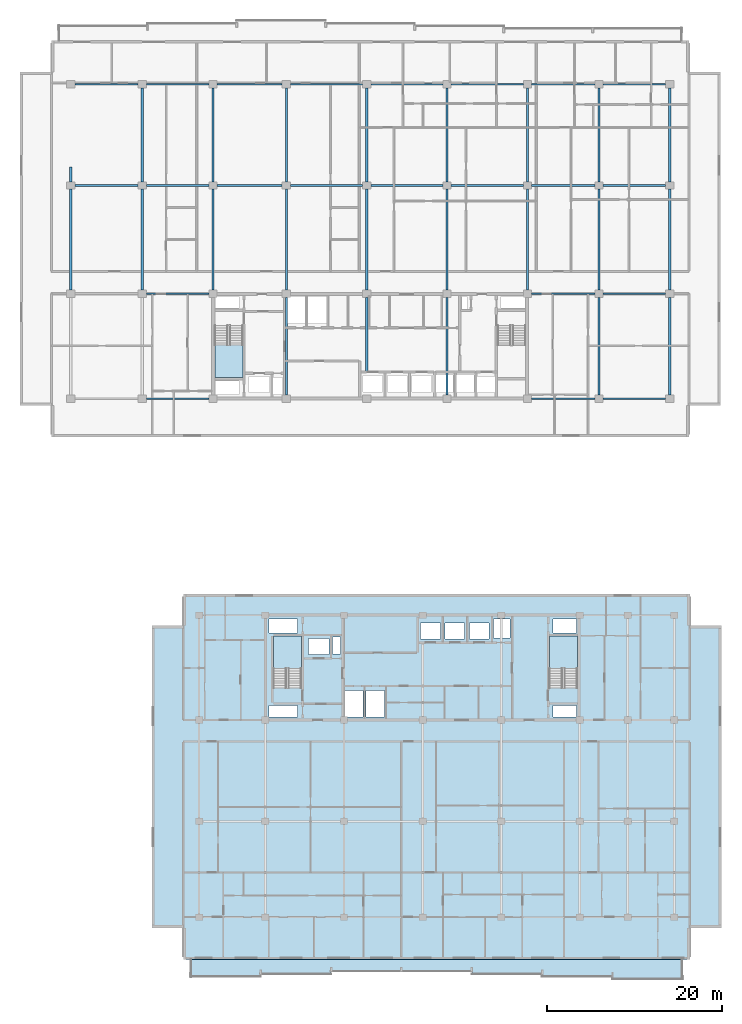
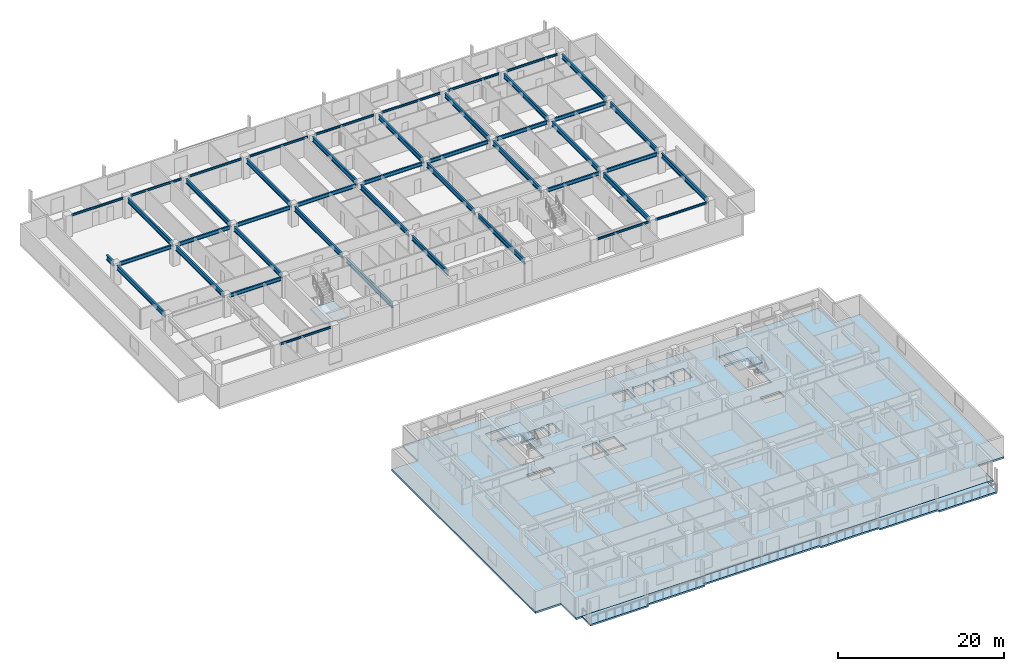
# One storey, part 2 of 22: 45 beams, 5 slabs, 3 elements without a shape of their own.
"""IFC4 building model written with IfcOpenShell, lengths in metres."""

import ifcopenshell
import ifcopenshell.guid

model = None  # the IFC model being written
_history = None  # IfcOwnerHistory: only IFC2X3 demands one
_inside = {}  # id of a spatial element -> (the spatial element, [elements in it])
_under = {}  # id of a project, library or spatial element -> (it, [spatial elements below it])
_declared = {}  # id of a project -> (the project, [libraries it declares])
_typed = {}  # id of a type object -> (the type object, [elements of that type])
_made_of = {}  # id of a material, layer set ... -> (it, [elements and type objects made of it])


def new_model(schema):
    """Start an empty IFC model of exactly this schema.

    Asked for "IFC4X3", IfcOpenShell would pick the latest addendum, in which some entities
    have other attributes; the version numbers below select the first issue.
    IFC2X3 requires an IfcOwnerHistory on every rooted entity: one is made here for all.
    """
    global model, _history
    if schema == "IFC4X3":
        model = ifcopenshell.file(schema_version=(4, 3, 0, 0))
    else:
        model = ifcopenshell.file(schema=schema)
    _inside.clear()
    _under.clear()
    _declared.clear()
    _typed.clear()
    _made_of.clear()
    _history = None
    if model.schema == "IFC2X3":
        org = make("IfcOrganization", Name="unknown")
        user = make(
            "IfcPersonAndOrganization",
            ThePerson=make("IfcPerson", FamilyName="unknown"),
            TheOrganization=org,
        )
        app = make(
            "IfcApplication",
            ApplicationDeveloper=org,
            Version="unknown",
            ApplicationFullName="unknown",
            ApplicationIdentifier="unknown",
        )
        _history = make(
            "IfcOwnerHistory",
            OwningUser=user,
            OwningApplication=app,
            ChangeAction="ADDED",
            CreationDate=0,
        )
    return model


def make(cls, **values):
    """One entity of the class cls with the attributes given. An attribute that is None is left unset."""
    return model.create_entity(
        cls, **{name: value for name, value in values.items() if value is not None}
    )


def rooted(cls, **values):
    """An entity with a GlobalId (a new one), such as an element, a storey or a relation."""
    return make(cls, GlobalId=ifcopenshell.guid.new(), OwnerHistory=_history, **values)


def si_unit(unit_type, name, prefix=None):
    """IfcSIUnit, for example si_unit("LENGTHUNIT", "METRE", prefix="MILLI")."""
    return make("IfcSIUnit", UnitType=unit_type, Prefix=prefix, Name=name)


def assignment(units):
    """IfcUnitAssignment: the units of a project."""
    return None if units is None else make("IfcUnitAssignment", Units=units)


def point(xyz):
    """IfcCartesianPoint."""
    return None if xyz is None else make("IfcCartesianPoint", Coordinates=xyz)


def direction(xyz):
    """IfcDirection."""
    return None if xyz is None else make("IfcDirection", DirectionRatios=xyz)


def frame(location, z_axis=None, x_axis=None):
    """IfcAxis2Placement3D, a coordinate frame: its origin and axes. An axis left out is left unset."""
    return make(
        "IfcAxis2Placement3D",
        Location=point(location),
        Axis=direction(z_axis),
        RefDirection=direction(x_axis),
    )


def frame_2d(location, x_axis=None):
    """IfcAxis2Placement2D, a coordinate frame in the plane: its origin and x axis."""
    return make(
        "IfcAxis2Placement2D", Location=point(location), RefDirection=direction(x_axis)
    )


def origin():
    """The frame at (0, 0, 0) with its axes left unset."""
    return frame((0.0, 0.0, 0.0))


def origin_2d():
    """The frame at (0, 0) in the plane with its x axis left unset."""
    return frame_2d((0.0, 0.0))


def place(relative_to, where):
    """IfcLocalPlacement: puts the frame where relative to a parent placement (None: the world)."""
    return make(
        "IfcLocalPlacement", PlacementRelTo=relative_to, RelativePlacement=where
    )


def context(
    kind, dimensions, precision=None, world=None, true_north=None, identifier=None
):
    """IfcGeometricRepresentationContext, for example the 3D "Model" context."""
    return make(
        "IfcGeometricRepresentationContext",
        ContextIdentifier=identifier,
        ContextType=kind,
        CoordinateSpaceDimension=dimensions,
        Precision=precision,
        WorldCoordinateSystem=world,
        TrueNorth=true_north,
    )


def subcontext(parent, identifier, kind, view, scale=None):
    """IfcGeometricRepresentationSubContext, for example "Body" below "Model"."""
    return make(
        "IfcGeometricRepresentationSubContext",
        ContextIdentifier=identifier,
        ContextType=kind,
        ParentContext=parent,
        TargetScale=scale,
        TargetView=view,
    )


def project(units=None, contexts=None):
    """IfcProject with its units and contexts."""
    return rooted(
        "IfcProject",
        Name="project",
        RepresentationContexts=contexts,
        UnitsInContext=assignment(units),
    )


def spatial(cls, under=None, at=None, **own):
    """A site, building, storey or space (cls), placed at a placement, below another one or the project."""
    s = rooted(cls, ObjectPlacement=at, **own)
    if under is not None:
        _under.setdefault(under.id(), (under, []))[1].append(s)
    return s


def polyline(points):
    """IfcPolyline through the points."""
    return make("IfcPolyline", Points=[point(p) for p in points])


def profile(cls, at=None, kind="AREA", **sizes):
    """A parametric profile (cls). Its sizes go by their IFC names, for example OverallWidth=200.0."""
    return make(cls, ProfileType=kind, Position=at, **sizes)


def i_section(**sizes):
    """IfcIShapeProfileDef."""
    return profile("IfcIShapeProfileDef", **sizes)


def outline(outer, holes=None, kind="AREA"):
    """IfcArbitraryClosedProfileDef: a profile drawn as a closed curve; with holes, ...WithVoids."""
    if holes is None:
        return make("IfcArbitraryClosedProfileDef", ProfileType=kind, OuterCurve=outer)
    return make(
        "IfcArbitraryProfileDefWithVoids",
        ProfileType=kind,
        OuterCurve=outer,
        InnerCurves=holes,
    )


def extrude(swept, where, along, depth):
    """IfcExtrudedAreaSolid: the profile swept, set in the frame where, extruded along a direction by depth."""
    return make(
        "IfcExtrudedAreaSolid",
        SweptArea=swept,
        Position=where,
        ExtrudedDirection=direction(along),
        Depth=depth,
    )


def shape(context_of_items, identifier, shape_type, items):
    """IfcShapeRepresentation: the items that make up one representation, for example the "Body"."""
    return make(
        "IfcShapeRepresentation",
        ContextOfItems=context_of_items,
        RepresentationIdentifier=identifier,
        RepresentationType=shape_type,
        Items=items,
    )


def material(Name=None, Category=None):
    """IfcMaterial."""
    return make("IfcMaterial", Name=Name, Category=Category)


def layer(
    of_material, thickness, ventilated=None, Name=None, Category=None, Priority=None
):
    """IfcMaterialLayer: one layer of a wall or slab, of a material (None: an air gap)."""
    return make(
        "IfcMaterialLayer",
        Material=of_material,
        LayerThickness=thickness,
        IsVentilated=ventilated,
        Name=Name,
        Category=Category,
        Priority=Priority,
    )


def layer_set(layers, Name=None):
    """IfcMaterialLayerSet."""
    return make("IfcMaterialLayerSet", MaterialLayers=layers, LayerSetName=Name)


def material_profile(
    of_material, cross_section, Name=None, Category=None, Priority=None
):
    """IfcMaterialProfile: a cross section and its material."""
    return make(
        "IfcMaterialProfile",
        Name=Name,
        Material=of_material,
        Profile=cross_section,
        Priority=Priority,
        Category=Category,
    )


def profile_set(profiles, Name=None, composite=None):
    """IfcMaterialProfileSet."""
    return make(
        "IfcMaterialProfileSet",
        Name=Name,
        MaterialProfiles=profiles,
        CompositeProfile=composite,
    )


def made_of(thing, what):
    """Note that an element or type object is made of a material, layer set ...; save() writes the relation."""
    if what is not None:
        _made_of.setdefault(what.id(), (what, []))[1].append(thing)
    return thing


def type_object(cls, material=None, **own):
    """A type object (cls), such as IfcWallType, which elements share."""
    return made_of(rooted(cls, **own), material)


def element(
    cls,
    number,
    at=None,
    inside=None,
    cuts=None,
    type_object=None,
    material=None,
    context=None,
    identifier="Body",
    shape_type=None,
    held_by="IfcProductDefinitionShape",
    body=None,
    shapes=None,
    **own,
):
    """One element of the class cls, such as IfcWall. Its Tag is "e" and its number.

    at: its placement. inside: the storey or other place that contains it. cuts: it is an
    opening in that element (IfcRelVoidsElement). A single representation is given by context,
    identifier, shape_type and body (its items); several are given by shapes. held_by: the class
    of the entity that holds the representations. save() writes the other relations.
    """
    e = rooted(cls, Tag="e%d" % number, ObjectPlacement=at, **own)
    if body is not None:
        shapes = [shape(context, identifier, shape_type, body)]
    if shapes is not None:
        e.Representation = make(held_by, Representations=shapes)
    if inside is not None:
        _inside.setdefault(inside.id(), (inside, []))[1].append(e)
    if cuts is not None:
        rooted(
            "IfcRelVoidsElement", RelatingBuildingElement=cuts, RelatedOpeningElement=e
        )
    if type_object is not None:
        _typed.setdefault(type_object.id(), (type_object, []))[1].append(e)
    return made_of(e, material)


def aggregate(whole, parts):
    """IfcRelAggregates: a whole, such as a stair, and the parts it consists of."""
    return rooted("IfcRelAggregates", RelatingObject=whole, RelatedObjects=parts)


def save(model, path):
    """Write the relations noted so far, then the file.

    IfcRelAggregates (storeys below a building ...), IfcRelContainedInSpatialStructure (elements
    in a storey), IfcRelDefinesByType, IfcRelAssociatesMaterial and IfcRelDeclares: one each for
    every whole, place, type object, material and project.
    """
    for whole, parts in _under.values():
        aggregate(whole, parts)
    for where, things in _inside.values():
        rooted(
            "IfcRelContainedInSpatialStructure",
            RelatedElements=things,
            RelatingStructure=where,
        )
    for kind, things in _typed.values():
        rooted("IfcRelDefinesByType", RelatedObjects=things, RelatingType=kind)
    for what, things in _made_of.values():
        rooted("IfcRelAssociatesMaterial", RelatedObjects=things, RelatingMaterial=what)
    for by, libraries in _declared.values():
        rooted("IfcRelDeclares", RelatingContext=by, RelatedDefinitions=libraries)
    model.write(path)


model = new_model("IFC4")

# Units and contexts
model_context = context("Model", 3, precision=1e-05, world=origin(), true_north=direction((0.0, 1.0)))
body_context = subcontext(model_context, "Body", "Model", "MODEL_VIEW")
ifc_project = project(units=[si_unit("LENGTHUNIT", "METRE"), si_unit("AREAUNIT", "SQUARE_METRE"), si_unit("VOLUMEUNIT", "CUBIC_METRE"), si_unit("PLANEANGLEUNIT", "RADIAN"), si_unit("MASSUNIT", "GRAM", prefix="KILO")], contexts=[model_context])

# Site, building, storey
site_placement = place(None, origin())
site = spatial("IfcSite", under=ifc_project, at=site_placement, CompositionType="ELEMENT")
building_placement = place(site_placement, origin())
building = spatial("IfcBuilding", under=site, at=building_placement, Name="Korimba Cascade Residences", CompositionType="ELEMENT")
storey_placement = place(building_placement, frame((0.0, 0.0, 129.550048828125)))
storey = spatial("IfcBuildingStorey", under=building, at=storey_placement, Name="L37", CompositionType="ELEMENT", Elevation=129.550048828125)

# Beams
ifc_material_1 = material(Name="Steel S355", Category="steel")
ifc_material_profile_1 = material_profile(ifc_material_1, i_section(OverallWidth=0.165771484375, OverallDepth=0.306640625, WebThickness=0.006591796875, FlangeThickness=0.01171875, FilletRadius=0.0087890625, at=origin_2d()), Name="Steel S355")
ifc_profile_set_1 = profile_set([ifc_material_profile_1], Name="Steel S355")
beam_type_1 = type_object("IfcBeamType", Name="BM-STL-UB305", PredefinedType="SPANDREL", material=ifc_profile_set_1)
beam_1_placement = place(storey_placement, frame((68.47509765625, 55.199951171875, 2.816650390625), z_axis=(1.0, 0.0, 0.0), x_axis=(0.0, 1.0, 0.0)))
element("IfcBeam", 1, at=beam_1_placement, inside=storey, type_object=beam_type_1, Name="L37 T1 E-W Girder Y1 Bay 2", PredefinedType="SPANDREL", context=body_context, shape_type="SweptSolid", body=[
    extrude(i_section(OverallWidth=0.165771484375, OverallDepth=0.306640625, WebThickness=0.006591796875, FlangeThickness=0.01171875, FilletRadius=0.0087890625, at=origin_2d()), origin(), (0.0, 0.0, 1.0), 7.14990234375),
])
beam_2_placement = place(storey_placement, frame((112.574951171875, 55.199951171875, 2.816650390625), z_axis=(1.0, 0.0, 0.0), x_axis=(0.0, 1.0, 0.0)))
element("IfcBeam", 2, at=beam_2_placement, inside=storey, type_object=beam_type_1, Name="L37 T1 E-W Girder Y1 Bay 7", PredefinedType="SPANDREL", context=body_context, shape_type="SweptSolid", body=[
    extrude(i_section(OverallWidth=0.165771484375, OverallDepth=0.306640625, WebThickness=0.006591796875, FlangeThickness=0.01171875, FilletRadius=0.0087890625, at=origin_2d()), origin(), (0.0, 0.0, 1.0), 7.25),
])
beam_3_placement = place(storey_placement, frame((120.77490234375, 55.199951171875, 2.816650390625), z_axis=(1.0, 0.0, 0.0), x_axis=(0.0, 1.0, 0.0)))
element("IfcBeam", 3, at=beam_3_placement, inside=storey, type_object=beam_type_1, Name="L37 T1 E-W Girder Y1 Bay 8", PredefinedType="SPANDREL", context=body_context, shape_type="SweptSolid", body=[
    extrude(i_section(OverallWidth=0.165771484375, OverallDepth=0.306640625, WebThickness=0.006591796875, FlangeThickness=0.01171875, FilletRadius=0.0087890625, at=origin_2d()), origin(), (0.0, 0.0, 1.0), 7.150146484375),
])
beam_4_placement = place(storey_placement, frame((60.27490234375, 91.199951171875, 2.816650390625), z_axis=(1.0, 0.0, 0.0), x_axis=(0.0, 1.0, 0.0)))
element("IfcBeam", 4, at=beam_4_placement, inside=storey, type_object=beam_type_1, Name="L37 T1 E-W Girder Y4 Bay 1", PredefinedType="SPANDREL", context=body_context, shape_type="SweptSolid", body=[
    extrude(i_section(OverallWidth=0.165771484375, OverallDepth=0.306640625, WebThickness=0.006591796875, FlangeThickness=0.01171875, FilletRadius=0.0087890625, at=origin_2d()), origin(), (0.0, 0.0, 1.0), 7.25),
])
beam_5_placement = place(storey_placement, frame((68.47509765625, 91.199951171875, 2.816650390625), z_axis=(1.0, 0.0, 0.0), x_axis=(0.0, 1.0, 0.0)))
element("IfcBeam", 5, at=beam_5_placement, inside=storey, type_object=beam_type_1, Name="L37 T1 E-W Girder Y4 Bay 2", PredefinedType="SPANDREL", context=body_context, shape_type="SweptSolid", body=[
    extrude(i_section(OverallWidth=0.165771484375, OverallDepth=0.306640625, WebThickness=0.006591796875, FlangeThickness=0.01171875, FilletRadius=0.0087890625, at=origin_2d()), origin(), (0.0, 0.0, 1.0), 7.14990234375),
])
beam_6_placement = place(storey_placement, frame((76.574951171875, 91.199951171875, 2.816650390625), z_axis=(1.0, 0.0, 0.0), x_axis=(0.0, 1.0, 0.0)))
element("IfcBeam", 6, at=beam_6_placement, inside=storey, type_object=beam_type_1, Name="L37 T1 E-W Girder Y4 Bay 3", PredefinedType="SPANDREL", context=body_context, shape_type="SweptSolid", body=[
    extrude(i_section(OverallWidth=0.165771484375, OverallDepth=0.306640625, WebThickness=0.006591796875, FlangeThickness=0.01171875, FilletRadius=0.0087890625, at=origin_2d()), origin(), (0.0, 0.0, 1.0), 7.449951171875),
])
for number, where, z_axis, x_axis, name in (
    (7, (84.97509765625, 91.199951171875, 2.816650390625), (1.0, 0.0, 0.0), (0.0, 1.0, 0.0), "L37 T1 E-W Girder Y4 Bay 4"),
    (8, (94.175048828125, 91.199951171875, 2.816650390625), (1.0, 0.0, 0.0), (0.0, 1.0, 0.0), "L37 T1 E-W Girder Y4 Bay 5"),
    (9, (103.375, 91.199951171875, 2.816650390625), (1.0, 0.0, 0.0), (0.0, 1.0, 0.0), "L37 T1 E-W Girder Y4 Bay 6"),
):
    element("IfcBeam", number, at=place(storey_placement, frame(where, z_axis=z_axis, x_axis=x_axis)), inside=storey, type_object=beam_type_1, Name=name, PredefinedType="SPANDREL", context=body_context, shape_type="SweptSolid", body=[
        extrude(i_section(OverallWidth=0.165771484375, OverallDepth=0.306640625, WebThickness=0.006591796875, FlangeThickness=0.01171875, FilletRadius=0.0087890625, at=origin_2d()), origin(), (0.0, 0.0, 1.0), 8.25),
    ])
beam_7_placement = place(storey_placement, frame((112.574951171875, 91.199951171875, 2.816650390625), z_axis=(1.0, 0.0, 0.0), x_axis=(0.0, 1.0, 0.0)))
element("IfcBeam", 10, at=beam_7_placement, inside=storey, type_object=beam_type_1, Name="L37 T1 E-W Girder Y4 Bay 7", PredefinedType="SPANDREL", context=body_context, shape_type="SweptSolid", body=[
    extrude(i_section(OverallWidth=0.165771484375, OverallDepth=0.306640625, WebThickness=0.006591796875, FlangeThickness=0.01171875, FilletRadius=0.0087890625, at=origin_2d()), origin(), (0.0, 0.0, 1.0), 7.25),
])
beam_8_placement = place(storey_placement, frame((120.77490234375, 91.199951171875, 2.816650390625), z_axis=(1.0, 0.0, 0.0), x_axis=(0.0, 1.0, 0.0)))
element("IfcBeam", 11, at=beam_8_placement, inside=storey, type_object=beam_type_1, Name="L37 T1 E-W Girder Y4 Bay 8", PredefinedType="SPANDREL", context=body_context, shape_type="SweptSolid", body=[
    extrude(i_section(OverallWidth=0.165771484375, OverallDepth=0.306640625, WebThickness=0.006591796875, FlangeThickness=0.01171875, FilletRadius=0.0087890625, at=origin_2d()), origin(), (0.0, 0.0, 1.0), 7.150146484375),
])
ifc_material_profile_2 = material_profile(ifc_material_1, i_section(OverallWidth=0.2099609375, OverallDepth=0.53662109375, WebThickness=0.0107421875, FlangeThickness=0.017333984375, FilletRadius=0.0126953125, at=origin_2d()), Name="Steel S355")
ifc_profile_set_2 = profile_set([ifc_material_profile_2], Name="Steel S355")
beam_type_2 = type_object("IfcBeamType", Name="BM-STL-UB533", PredefinedType="BEAM", material=ifc_profile_set_2)
beam_9_placement = place(storey_placement, frame((68.47509765625, 67.199951171875, 2.70166015625), z_axis=(1.0, 0.0, 0.0), x_axis=(0.0, 1.0, 0.0)))
element("IfcBeam", 12, at=beam_9_placement, inside=storey, type_object=beam_type_2, Name="L37 T1 E-W Girder Y2 Bay 2", PredefinedType="BEAM", context=body_context, shape_type="SweptSolid", body=[
    extrude(i_section(OverallWidth=0.2099609375, OverallDepth=0.53662109375, WebThickness=0.0107421875, FlangeThickness=0.017333984375, FilletRadius=0.0126953125, at=origin_2d()), origin(), (0.0, 0.0, 1.0), 7.14990234375),
])
beam_10_placement = place(storey_placement, frame((112.574951171875, 67.199951171875, 2.70166015625), z_axis=(1.0, 0.0, 0.0), x_axis=(0.0, 1.0, 0.0)))
element("IfcBeam", 13, at=beam_10_placement, inside=storey, type_object=beam_type_2, Name="L37 T1 E-W Girder Y2 Bay 7", PredefinedType="BEAM", context=body_context, shape_type="SweptSolid", body=[
    extrude(i_section(OverallWidth=0.2099609375, OverallDepth=0.53662109375, WebThickness=0.0107421875, FlangeThickness=0.017333984375, FilletRadius=0.0126953125, at=origin_2d()), origin(), (0.0, 0.0, 1.0), 7.25),
])
beam_11_placement = place(storey_placement, frame((120.77490234375, 67.199951171875, 2.70166015625), z_axis=(1.0, 0.0, 0.0), x_axis=(0.0, 1.0, 0.0)))
element("IfcBeam", 14, at=beam_11_placement, inside=storey, type_object=beam_type_2, Name="L37 T1 E-W Girder Y2 Bay 8", PredefinedType="BEAM", context=body_context, shape_type="SweptSolid", body=[
    extrude(i_section(OverallWidth=0.2099609375, OverallDepth=0.53662109375, WebThickness=0.0107421875, FlangeThickness=0.017333984375, FilletRadius=0.0126953125, at=origin_2d()), origin(), (0.0, 0.0, 1.0), 7.150146484375),
])
beam_12_placement = place(storey_placement, frame((60.27490234375, 79.60009765625, 2.70166015625), z_axis=(1.0, 0.0, 0.0), x_axis=(0.0, 1.0, 0.0)))
element("IfcBeam", 15, at=beam_12_placement, inside=storey, type_object=beam_type_2, Name="L37 T1 E-W Girder Y3 Bay 1", PredefinedType="BEAM", context=body_context, shape_type="SweptSolid", body=[
    extrude(i_section(OverallWidth=0.2099609375, OverallDepth=0.53662109375, WebThickness=0.0107421875, FlangeThickness=0.017333984375, FilletRadius=0.0126953125, at=origin_2d()), origin(), (0.0, 0.0, 1.0), 7.25),
])
beam_13_placement = place(storey_placement, frame((68.47509765625, 79.60009765625, 2.70166015625), z_axis=(1.0, 0.0, 0.0), x_axis=(0.0, 1.0, 0.0)))
element("IfcBeam", 16, at=beam_13_placement, inside=storey, type_object=beam_type_2, Name="L37 T1 E-W Girder Y3 Bay 2", PredefinedType="BEAM", context=body_context, shape_type="SweptSolid", body=[
    extrude(i_section(OverallWidth=0.2099609375, OverallDepth=0.53662109375, WebThickness=0.0107421875, FlangeThickness=0.017333984375, FilletRadius=0.0126953125, at=origin_2d()), origin(), (0.0, 0.0, 1.0), 7.14990234375),
])
beam_14_placement = place(storey_placement, frame((76.574951171875, 79.60009765625, 2.70166015625), z_axis=(1.0, 0.0, 0.0), x_axis=(0.0, 1.0, 0.0)))
element("IfcBeam", 17, at=beam_14_placement, inside=storey, type_object=beam_type_2, Name="L37 T1 E-W Girder Y3 Bay 3", PredefinedType="BEAM", context=body_context, shape_type="SweptSolid", body=[
    extrude(i_section(OverallWidth=0.2099609375, OverallDepth=0.53662109375, WebThickness=0.0107421875, FlangeThickness=0.017333984375, FilletRadius=0.0126953125, at=origin_2d()), origin(), (0.0, 0.0, 1.0), 7.449951171875),
])
for number, where, z_axis, x_axis, name in (
    (18, (84.97509765625, 79.60009765625, 2.70166015625), (1.0, 0.0, 0.0), (0.0, 1.0, 0.0), "L37 T1 E-W Girder Y3 Bay 4"),
    (19, (94.175048828125, 79.60009765625, 2.70166015625), (1.0, 0.0, 0.0), (0.0, 1.0, 0.0), "L37 T1 E-W Girder Y3 Bay 5"),
    (20, (103.375, 79.60009765625, 2.70166015625), (1.0, 0.0, 0.0), (0.0, 1.0, 0.0), "L37 T1 E-W Girder Y3 Bay 6"),
):
    element("IfcBeam", number, at=place(storey_placement, frame(where, z_axis=z_axis, x_axis=x_axis)), inside=storey, type_object=beam_type_2, Name=name, PredefinedType="BEAM", context=body_context, shape_type="SweptSolid", body=[
        extrude(i_section(OverallWidth=0.2099609375, OverallDepth=0.53662109375, WebThickness=0.0107421875, FlangeThickness=0.017333984375, FilletRadius=0.0126953125, at=origin_2d()), origin(), (0.0, 0.0, 1.0), 8.25),
    ])
beam_15_placement = place(storey_placement, frame((112.574951171875, 79.60009765625, 2.70166015625), z_axis=(1.0, 0.0, 0.0), x_axis=(0.0, 1.0, 0.0)))
element("IfcBeam", 21, at=beam_15_placement, inside=storey, type_object=beam_type_2, Name="L37 T1 E-W Girder Y3 Bay 7", PredefinedType="BEAM", context=body_context, shape_type="SweptSolid", body=[
    extrude(i_section(OverallWidth=0.2099609375, OverallDepth=0.53662109375, WebThickness=0.0107421875, FlangeThickness=0.017333984375, FilletRadius=0.0126953125, at=origin_2d()), origin(), (0.0, 0.0, 1.0), 7.25),
])
beam_16_placement = place(storey_placement, frame((120.77490234375, 79.60009765625, 2.70166015625), z_axis=(1.0, 0.0, 0.0), x_axis=(0.0, 1.0, 0.0)))
element("IfcBeam", 22, at=beam_16_placement, inside=storey, type_object=beam_type_2, Name="L37 T1 E-W Girder Y3 Bay 8", PredefinedType="BEAM", context=body_context, shape_type="SweptSolid", body=[
    extrude(i_section(OverallWidth=0.2099609375, OverallDepth=0.53662109375, WebThickness=0.0107421875, FlangeThickness=0.017333984375, FilletRadius=0.0126953125, at=origin_2d()), origin(), (0.0, 0.0, 1.0), 7.150146484375),
])
ifc_material_profile_3 = material_profile(ifc_material_1, i_section(OverallWidth=0.255859375, OverallDepth=0.69287109375, WebThickness=0.014404296875, FlangeThickness=0.023681640625, FilletRadius=0.01513671875, at=origin_2d()), Name="Steel S355")
ifc_profile_set_3 = profile_set([ifc_material_profile_3], Name="Steel S355")
beam_type_3 = type_object("IfcBeamType", Name="BM-STL-UB686", PredefinedType="BEAM", material=ifc_profile_set_3)
beam_17_placement = place(storey_placement, frame((59.800048828125, 67.625, 2.62353515625), z_axis=(0.0, 1.0, 0.0), x_axis=(-1.0, 0.0, 0.0)))
element("IfcBeam", 23, at=beam_17_placement, inside=storey, type_object=beam_type_3, Name="L37 T1 N-S Girder X1 Seg 2", PredefinedType="BEAM", context=body_context, shape_type="SweptSolid", body=[
    extrude(i_section(OverallWidth=0.255859375, OverallDepth=0.69287109375, WebThickness=0.014404296875, FlangeThickness=0.023681640625, FilletRadius=0.01513671875, at=origin_2d()), origin(), (0.0, 0.0, 1.0), 11.550048828125),
])
beam_18_placement = place(storey_placement, frame((59.800048828125, 80.02490234375, 2.62353515625), z_axis=(0.0, 1.0, 0.0), x_axis=(-1.0, 0.0, 0.0)))
element("IfcBeam", 24, at=beam_18_placement, inside=storey, type_object=beam_type_3, Name="L37 T1 N-S Girder X1 Seg 3", PredefinedType="BEAM", context=body_context, shape_type="SweptSolid", body=[
    extrude(i_section(OverallWidth=0.255859375, OverallDepth=0.69287109375, WebThickness=0.014404296875, FlangeThickness=0.023681640625, FilletRadius=0.01513671875, at=origin_2d()), origin(), (0.0, 0.0, 1.0), 1.675048828125),
])
beam_19_placement = place(storey_placement, frame((68.0, 67.625, 2.62353515625), z_axis=(0.0, 1.0, 0.0), x_axis=(-1.0, 0.0, 0.0)))
element("IfcBeam", 25, at=beam_19_placement, inside=storey, type_object=beam_type_3, Name="L37 T1 N-S Girder X2 Seg 2", PredefinedType="BEAM", context=body_context, shape_type="SweptSolid", body=[
    extrude(i_section(OverallWidth=0.255859375, OverallDepth=0.69287109375, WebThickness=0.014404296875, FlangeThickness=0.023681640625, FilletRadius=0.01513671875, at=origin_2d()), origin(), (0.0, 0.0, 1.0), 11.550048828125),
])
beam_20_placement = place(storey_placement, frame((68.0, 80.02490234375, 2.62353515625), z_axis=(0.0, 1.0, 0.0), x_axis=(-1.0, 0.0, 0.0)))
element("IfcBeam", 26, at=beam_20_placement, inside=storey, type_object=beam_type_3, Name="L37 T1 N-S Girder X2 Seg 3", PredefinedType="BEAM", context=body_context, shape_type="SweptSolid", body=[
    extrude(i_section(OverallWidth=0.255859375, OverallDepth=0.69287109375, WebThickness=0.014404296875, FlangeThickness=0.023681640625, FilletRadius=0.01513671875, at=origin_2d()), origin(), (0.0, 0.0, 1.0), 10.75),
])
beam_21_placement = place(storey_placement, frame((76.10009765625, 67.625, 2.62353515625), z_axis=(0.0, 1.0, 0.0), x_axis=(-1.0, 0.0, 0.0)))
element("IfcBeam", 27, at=beam_21_placement, inside=storey, type_object=beam_type_3, Name="L37 T1 N-S Girder X3 Seg 2", PredefinedType="BEAM", context=body_context, shape_type="SweptSolid", body=[
    extrude(i_section(OverallWidth=0.255859375, OverallDepth=0.69287109375, WebThickness=0.014404296875, FlangeThickness=0.023681640625, FilletRadius=0.01513671875, at=origin_2d()), origin(), (0.0, 0.0, 1.0), 11.550048828125),
])
beam_22_placement = place(storey_placement, frame((76.10009765625, 80.02490234375, 2.62353515625), z_axis=(0.0, 1.0, 0.0), x_axis=(-1.0, 0.0, 0.0)))
element("IfcBeam", 28, at=beam_22_placement, inside=storey, type_object=beam_type_3, Name="L37 T1 N-S Girder X3 Seg 3", PredefinedType="BEAM", context=body_context, shape_type="SweptSolid", body=[
    extrude(i_section(OverallWidth=0.255859375, OverallDepth=0.69287109375, WebThickness=0.014404296875, FlangeThickness=0.023681640625, FilletRadius=0.01513671875, at=origin_2d()), origin(), (0.0, 0.0, 1.0), 10.75),
])
beam_23_placement = place(storey_placement, frame((84.5, 55.625, 2.62353515625), z_axis=(0.0, 1.0, 0.0), x_axis=(-1.0, 0.0, 0.0)))
element("IfcBeam", 29, at=beam_23_placement, inside=storey, type_object=beam_type_3, Name="L37 T1 N-S Girder X4 Seg 1", PredefinedType="BEAM", context=body_context, shape_type="SweptSolid", body=[
    extrude(i_section(OverallWidth=0.255859375, OverallDepth=0.69287109375, WebThickness=0.014404296875, FlangeThickness=0.023681640625, FilletRadius=0.01513671875, at=origin_2d()), origin(), (0.0, 0.0, 1.0), 11.14990234375),
])
beam_24_placement = place(storey_placement, frame((84.5, 67.625, 2.62353515625), z_axis=(0.0, 1.0, 0.0), x_axis=(-1.0, 0.0, 0.0)))
element("IfcBeam", 30, at=beam_24_placement, inside=storey, type_object=beam_type_3, Name="L37 T1 N-S Girder X4 Seg 2", PredefinedType="BEAM", context=body_context, shape_type="SweptSolid", body=[
    extrude(i_section(OverallWidth=0.255859375, OverallDepth=0.69287109375, WebThickness=0.014404296875, FlangeThickness=0.023681640625, FilletRadius=0.01513671875, at=origin_2d()), origin(), (0.0, 0.0, 1.0), 11.550048828125),
])
beam_25_placement = place(storey_placement, frame((84.5, 80.02490234375, 2.62353515625), z_axis=(0.0, 1.0, 0.0), x_axis=(-1.0, 0.0, 0.0)))
element("IfcBeam", 31, at=beam_25_placement, inside=storey, type_object=beam_type_3, Name="L37 T1 N-S Girder X4 Seg 3", PredefinedType="BEAM", context=body_context, shape_type="SweptSolid", body=[
    extrude(i_section(OverallWidth=0.255859375, OverallDepth=0.69287109375, WebThickness=0.014404296875, FlangeThickness=0.023681640625, FilletRadius=0.01513671875, at=origin_2d()), origin(), (0.0, 0.0, 1.0), 10.75),
])
beam_26_placement = place(storey_placement, frame((93.699951171875, 58.159912109375, 2.62353515625), z_axis=(0.0, 1.0, 0.0), x_axis=(-1.0, 0.0, 0.0)))
element("IfcBeam", 32, at=beam_26_placement, inside=storey, type_object=beam_type_3, Name="L37 T1 N-S Girder X5 Seg 1", PredefinedType="BEAM", context=body_context, shape_type="SweptSolid", body=[
    extrude(i_section(OverallWidth=0.255859375, OverallDepth=0.69287109375, WebThickness=0.014404296875, FlangeThickness=0.023681640625, FilletRadius=0.01513671875, at=origin_2d()), origin(), (0.0, 0.0, 1.0), 8.614990234375),
])
beam_27_placement = place(storey_placement, frame((93.699951171875, 67.625, 2.62353515625), z_axis=(0.0, 1.0, 0.0), x_axis=(-1.0, 0.0, 0.0)))
element("IfcBeam", 33, at=beam_27_placement, inside=storey, type_object=beam_type_3, Name="L37 T1 N-S Girder X5 Seg 2", PredefinedType="BEAM", context=body_context, shape_type="SweptSolid", body=[
    extrude(i_section(OverallWidth=0.255859375, OverallDepth=0.69287109375, WebThickness=0.014404296875, FlangeThickness=0.023681640625, FilletRadius=0.01513671875, at=origin_2d()), origin(), (0.0, 0.0, 1.0), 11.550048828125),
])
beam_28_placement = place(storey_placement, frame((93.699951171875, 80.02490234375, 2.62353515625), z_axis=(0.0, 1.0, 0.0), x_axis=(-1.0, 0.0, 0.0)))
element("IfcBeam", 34, at=beam_28_placement, inside=storey, type_object=beam_type_3, Name="L37 T1 N-S Girder X5 Seg 3", PredefinedType="BEAM", context=body_context, shape_type="SweptSolid", body=[
    extrude(i_section(OverallWidth=0.255859375, OverallDepth=0.69287109375, WebThickness=0.014404296875, FlangeThickness=0.023681640625, FilletRadius=0.01513671875, at=origin_2d()), origin(), (0.0, 0.0, 1.0), 10.75),
])
beam_29_placement = place(storey_placement, frame((102.89990234375, 55.625, 2.62353515625), z_axis=(0.0, 1.0, 0.0), x_axis=(-1.0, 0.0, 0.0)))
element("IfcBeam", 35, at=beam_29_placement, inside=storey, type_object=beam_type_3, Name="L37 T1 N-S Girder X6 Seg 1", PredefinedType="BEAM", context=body_context, shape_type="SweptSolid", body=[
    extrude(i_section(OverallWidth=0.255859375, OverallDepth=0.69287109375, WebThickness=0.014404296875, FlangeThickness=0.023681640625, FilletRadius=0.01513671875, at=origin_2d()), origin(), (0.0, 0.0, 1.0), 11.14990234375),
])
beam_30_placement = place(storey_placement, frame((102.89990234375, 67.625, 2.62353515625), z_axis=(0.0, 1.0, 0.0), x_axis=(-1.0, 0.0, 0.0)))
element("IfcBeam", 36, at=beam_30_placement, inside=storey, type_object=beam_type_3, Name="L37 T1 N-S Girder X6 Seg 2", PredefinedType="BEAM", context=body_context, shape_type="SweptSolid", body=[
    extrude(i_section(OverallWidth=0.255859375, OverallDepth=0.69287109375, WebThickness=0.014404296875, FlangeThickness=0.023681640625, FilletRadius=0.01513671875, at=origin_2d()), origin(), (0.0, 0.0, 1.0), 11.550048828125),
])
beam_31_placement = place(storey_placement, frame((102.89990234375, 80.02490234375, 2.62353515625), z_axis=(0.0, 1.0, 0.0), x_axis=(-1.0, 0.0, 0.0)))
element("IfcBeam", 37, at=beam_31_placement, inside=storey, type_object=beam_type_3, Name="L37 T1 N-S Girder X6 Seg 3", PredefinedType="BEAM", context=body_context, shape_type="SweptSolid", body=[
    extrude(i_section(OverallWidth=0.255859375, OverallDepth=0.69287109375, WebThickness=0.014404296875, FlangeThickness=0.023681640625, FilletRadius=0.01513671875, at=origin_2d()), origin(), (0.0, 0.0, 1.0), 10.75),
])
beam_32_placement = place(storey_placement, frame((112.10009765625, 67.625, 2.62353515625), z_axis=(0.0, 1.0, 0.0), x_axis=(-1.0, 0.0, 0.0)))
element("IfcBeam", 38, at=beam_32_placement, inside=storey, type_object=beam_type_3, Name="L37 T1 N-S Girder X7 Seg 2", PredefinedType="BEAM", context=body_context, shape_type="SweptSolid", body=[
    extrude(i_section(OverallWidth=0.255859375, OverallDepth=0.69287109375, WebThickness=0.014404296875, FlangeThickness=0.023681640625, FilletRadius=0.01513671875, at=origin_2d()), origin(), (0.0, 0.0, 1.0), 11.550048828125),
])
beam_33_placement = place(storey_placement, frame((112.10009765625, 80.02490234375, 2.62353515625), z_axis=(0.0, 1.0, 0.0), x_axis=(-1.0, 0.0, 0.0)))
element("IfcBeam", 39, at=beam_33_placement, inside=storey, type_object=beam_type_3, Name="L37 T1 N-S Girder X7 Seg 3", PredefinedType="BEAM", context=body_context, shape_type="SweptSolid", body=[
    extrude(i_section(OverallWidth=0.255859375, OverallDepth=0.69287109375, WebThickness=0.014404296875, FlangeThickness=0.023681640625, FilletRadius=0.01513671875, at=origin_2d()), origin(), (0.0, 0.0, 1.0), 10.75),
])
beam_34_placement = place(storey_placement, frame((120.300048828125, 55.625, 2.62353515625), z_axis=(0.0, 1.0, 0.0), x_axis=(-1.0, 0.0, 0.0)))
element("IfcBeam", 40, at=beam_34_placement, inside=storey, type_object=beam_type_3, Name="L37 T1 N-S Girder X8 Seg 1", PredefinedType="BEAM", context=body_context, shape_type="SweptSolid", body=[
    extrude(i_section(OverallWidth=0.255859375, OverallDepth=0.69287109375, WebThickness=0.014404296875, FlangeThickness=0.023681640625, FilletRadius=0.01513671875, at=origin_2d()), origin(), (0.0, 0.0, 1.0), 11.14990234375),
])
beam_35_placement = place(storey_placement, frame((120.300048828125, 67.625, 2.62353515625), z_axis=(0.0, 1.0, 0.0), x_axis=(-1.0, 0.0, 0.0)))
element("IfcBeam", 41, at=beam_35_placement, inside=storey, type_object=beam_type_3, Name="L37 T1 N-S Girder X8 Seg 2", PredefinedType="BEAM", context=body_context, shape_type="SweptSolid", body=[
    extrude(i_section(OverallWidth=0.255859375, OverallDepth=0.69287109375, WebThickness=0.014404296875, FlangeThickness=0.023681640625, FilletRadius=0.01513671875, at=origin_2d()), origin(), (0.0, 0.0, 1.0), 11.550048828125),
])
beam_36_placement = place(storey_placement, frame((120.300048828125, 80.02490234375, 2.62353515625), z_axis=(0.0, 1.0, 0.0), x_axis=(-1.0, 0.0, 0.0)))
element("IfcBeam", 42, at=beam_36_placement, inside=storey, type_object=beam_type_3, Name="L37 T1 N-S Girder X8 Seg 3", PredefinedType="BEAM", context=body_context, shape_type="SweptSolid", body=[
    extrude(i_section(OverallWidth=0.255859375, OverallDepth=0.69287109375, WebThickness=0.014404296875, FlangeThickness=0.023681640625, FilletRadius=0.01513671875, at=origin_2d()), origin(), (0.0, 0.0, 1.0), 10.75),
])
beam_37_placement = place(storey_placement, frame((128.39990234375, 55.625, 2.62353515625), z_axis=(0.0, 1.0, 0.0), x_axis=(-1.0, 0.0, 0.0)))
element("IfcBeam", 43, at=beam_37_placement, inside=storey, type_object=beam_type_3, Name="L37 T1 N-S Girder X9 Seg 1", PredefinedType="BEAM", context=body_context, shape_type="SweptSolid", body=[
    extrude(i_section(OverallWidth=0.255859375, OverallDepth=0.69287109375, WebThickness=0.014404296875, FlangeThickness=0.023681640625, FilletRadius=0.01513671875, at=origin_2d()), origin(), (0.0, 0.0, 1.0), 11.14990234375),
])
beam_38_placement = place(storey_placement, frame((128.39990234375, 67.625, 2.62353515625), z_axis=(0.0, 1.0, 0.0), x_axis=(-1.0, 0.0, 0.0)))
element("IfcBeam", 44, at=beam_38_placement, inside=storey, type_object=beam_type_3, Name="L37 T1 N-S Girder X9 Seg 2", PredefinedType="BEAM", context=body_context, shape_type="SweptSolid", body=[
    extrude(i_section(OverallWidth=0.255859375, OverallDepth=0.69287109375, WebThickness=0.014404296875, FlangeThickness=0.023681640625, FilletRadius=0.01513671875, at=origin_2d()), origin(), (0.0, 0.0, 1.0), 11.550048828125),
])
beam_39_placement = place(storey_placement, frame((128.39990234375, 80.02490234375, 2.62353515625), z_axis=(0.0, 1.0, 0.0), x_axis=(-1.0, 0.0, 0.0)))
element("IfcBeam", 45, at=beam_39_placement, inside=storey, type_object=beam_type_3, Name="L37 T1 N-S Girder X9 Seg 3", PredefinedType="BEAM", context=body_context, shape_type="SweptSolid", body=[
    extrude(i_section(OverallWidth=0.255859375, OverallDepth=0.69287109375, WebThickness=0.014404296875, FlangeThickness=0.023681640625, FilletRadius=0.01513671875, at=origin_2d()), origin(), (0.0, 0.0, 1.0), 10.75),
])

# Stair, slab
ifc_material_2 = material(Name="Concrete C50/60", Category="concrete")
stair_type_1 = type_object("IfcStairType", Name="STR-W1-18R-1806", PredefinedType="HALF_TURN_STAIR", material=ifc_material_2)
stair_1_placement = place(storey_placement, origin())
stair_1 = element("IfcStair", 46, at=stair_1_placement, inside=storey, type_object=stair_type_1, Name="L37 Tower 1 West Fire Stair ST-W1", PredefinedType="HALF_TURN_STAIR")
ifc_layer_1 = layer(ifc_material_2, 0.199951171875)
ifc_layer_set_1 = layer_set([ifc_layer_1], Name="Concrete C50/60")
slab_type_1 = type_object("IfcSlabType", Name="SLB-LND-220", PredefinedType="LANDING", material=ifc_layer_set_1)
slab_1_placement = place(storey_placement, frame((0.0, 0.0, 1.425048828125)))
slab_1 = element("IfcSlab", 47, at=slab_1_placement, type_object=slab_type_1, Name="ST-W1 landing 1", PredefinedType="LANDING", context=body_context, shape_type="SweptSolid", body=[
    extrude(outline(polyline([(76.300048828125, 61.31005859375), (76.300048828125, 57.60009765625), (79.5400390625, 57.60009765625), (79.5400390625, 61.31005859375), (76.300048828125, 61.31005859375)])), origin(), (0.0, 0.0, 1.0), 0.199951171875),
])
aggregate(stair_1, [slab_1])

stair_type_2 = type_object("IfcStairType", Name="STR-E1-18R-1806", PredefinedType="HALF_TURN_STAIR", material=ifc_material_2)
stair_2_placement = place(storey_placement, origin())
stair_2 = element("IfcStair", 48, at=stair_2_placement, inside=storey, type_object=stair_type_2, Name="L37 Tower 2 West Fire Stair ST-E1", PredefinedType="HALF_TURN_STAIR")
slab_2_placement = place(storey_placement, frame((0.0, 0.0, 1.425048828125)))
slab_2 = element("IfcSlab", 49, at=slab_2_placement, type_object=slab_type_1, Name="ST-E1 landing 1", PredefinedType="LANDING", context=body_context, shape_type="SweptSolid", body=[
    extrude(outline(polyline([(86.239990234375, 24.2900390625), (86.239990234375, 28.0), (83.0, 28.0), (83.0, 24.2900390625), (86.239990234375, 24.2900390625)])), origin(), (0.0, 0.0, 1.0), 0.199951171875),
])
aggregate(stair_2, [slab_2])

stair_type_3 = type_object("IfcStairType", Name="STR-E2-18R-1806", PredefinedType="HALF_TURN_STAIR", material=ifc_material_2)
stair_3_placement = place(storey_placement, origin())
stair_3 = element("IfcStair", 50, at=stair_3_placement, inside=storey, type_object=stair_type_3, Name="L37 Tower 2 East Fire Stair ST-E2", PredefinedType="HALF_TURN_STAIR")
slab_3_placement = place(storey_placement, frame((0.0, 0.0, 1.425048828125)))
slab_3 = element("IfcSlab", 51, at=slab_3_placement, type_object=slab_type_1, Name="ST-E2 landing 1", PredefinedType="LANDING", context=body_context, shape_type="SweptSolid", body=[
    extrude(outline(polyline([(117.840087890625, 24.2900390625), (117.840087890625, 28.0), (114.60009765625, 28.0), (114.60009765625, 24.2900390625), (117.840087890625, 24.2900390625)])), origin(), (0.0, 0.0, 1.0), 0.199951171875),
])
aggregate(stair_3, [slab_3])

# Slabs
ifc_material_3 = material(Name="Precast concrete C40/50", Category="concrete")
ifc_layer_2 = layer(ifc_material_3, 0.239990234375)
ifc_layer_set_2 = layer_set([ifc_layer_2], Name="Precast concrete C40/50")
slab_type_2 = type_object("IfcSlabType", Name="SLB-LOG-240", PredefinedType="FLOOR", material=ifc_layer_set_2)
slab_4_placement = place(storey_placement, frame((0.0, 0.0, -0.239990234375)))
element("IfcSlab", 52, at=slab_4_placement, inside=storey, type_object=slab_type_2, Name="L37 Tower 2 South Loggia Slab", PredefinedType="FLOOR", context=body_context, shape_type="SweptSolid", body=[
    extrude(outline(polyline([(73.5, -11.050048828125), (81.55712890625, -11.050048828125), (81.55712890625, -10.75), (89.6142578125, -10.75), (89.6142578125, -10.449951171875), (105.728515625, -10.449951171875), (105.728515625, -10.75), (113.78564453125, -10.75), (113.78564453125, -11.050048828125), (121.843017578125, -11.050048828125), (121.843017578125, -11.35009765625), (129.89990234375, -11.35009765625), (129.89990234375, -9.0), (73.5, -9.0), (73.5, -11.050048828125)])), origin(), (0.0, 0.0, 1.0), 0.239990234375),
])
ifc_layer_3 = layer(ifc_material_2, 0.280029296875)
ifc_layer_set_3 = layer_set([ifc_layer_3], Name="Concrete C50/60")
slab_type_3 = type_object("IfcSlabType", Name="SLB-TYP-280", PredefinedType="FLOOR", material=ifc_layer_set_3)
slab_5_placement = place(storey_placement, frame((0.0, 0.0, -0.280029296875)))
element("IfcSlab", 53, at=slab_5_placement, inside=storey, type_object=slab_type_3, Name="L37 Tower 2 Floor Slab", PredefinedType="FLOOR", context=body_context, shape_type="SweptSolid", body=[
    extrude(outline(polyline([(72.699951171875, -9.0), (130.699951171875, -9.0), (130.699951171875, -5.39990234375), (134.300048828125, -5.39990234375), (134.300048828125, 29.199951171875), (130.699951171875, 29.199951171875), (130.699951171875, 32.800048828125), (72.699951171875, 32.800048828125), (72.699951171875, 29.199951171875), (69.10009765625, 29.199951171875), (69.10009765625, -5.39990234375), (72.699951171875, -5.39990234375), (72.699951171875, -9.0)]), holes=[polyline([(86.239990234375, 22.0849609375), (86.239990234375, 28.0), (83.0, 28.0), (83.0, 22.0849609375), (86.239990234375, 22.0849609375)]), polyline([(117.840087890625, 22.0849609375), (117.840087890625, 28.0), (114.60009765625, 28.0), (114.60009765625, 22.0849609375), (117.840087890625, 22.0849609375)]), polyline([(87.030029296875, 25.8798828125), (89.3701171875, 25.8798828125), (89.3701171875, 27.719970703125), (87.030029296875, 27.719970703125), (87.030029296875, 25.8798828125)]), polyline([(99.8798828125, 27.679931640625), (102.1201171875, 27.679931640625), (102.1201171875, 29.52001953125), (99.8798828125, 29.52001953125), (99.8798828125, 27.679931640625)]), polyline([(102.679931640625, 27.679931640625), (104.919921875, 27.679931640625), (104.919921875, 29.52001953125), (102.679931640625, 29.52001953125), (102.679931640625, 27.679931640625)]), polyline([(105.47998046875, 27.679931640625), (107.719970703125, 27.679931640625), (107.719970703125, 29.52001953125), (105.47998046875, 29.52001953125), (105.47998046875, 27.679931640625)]), polyline([(89.780029296875, 25.97998046875), (90.719970703125, 25.97998046875), (90.719970703125, 27.919921875), (89.780029296875, 27.919921875), (89.780029296875, 25.97998046875)]), polyline([(82.530029296875, 18.72998046875), (85.800048828125, 18.72998046875), (85.800048828125, 20.0400390625), (82.530029296875, 20.0400390625), (82.530029296875, 18.72998046875)]), polyline([(82.530029296875, 28.360107421875), (85.800048828125, 28.360107421875), (85.800048828125, 29.969970703125), (82.530029296875, 29.969970703125), (82.530029296875, 28.360107421875)]), polyline([(108.22998046875, 27.780029296875), (110.1201171875, 27.780029296875), (110.1201171875, 29.969970703125), (108.22998046875, 29.969970703125), (108.22998046875, 27.780029296875)]), polyline([(91.22998046875, 18.72998046875), (93.27001953125, 18.72998046875), (93.27001953125, 21.780029296875), (91.22998046875, 21.780029296875), (91.22998046875, 18.72998046875)]), polyline([(93.6298828125, 18.72998046875), (95.719970703125, 18.72998046875), (95.719970703125, 21.780029296875), (93.6298828125, 21.780029296875), (93.6298828125, 18.72998046875)]), polyline([(115.02001953125, 18.72998046875), (117.739990234375, 18.72998046875), (117.739990234375, 20.0400390625), (115.02001953125, 20.0400390625), (115.02001953125, 18.72998046875)]), polyline([(115.02001953125, 28.360107421875), (117.739990234375, 28.360107421875), (117.739990234375, 29.969970703125), (115.02001953125, 29.969970703125), (115.02001953125, 28.360107421875)])]), origin(), (0.0, 0.0, 1.0), 0.280029296875),
])

save(model, "model.ifc")
